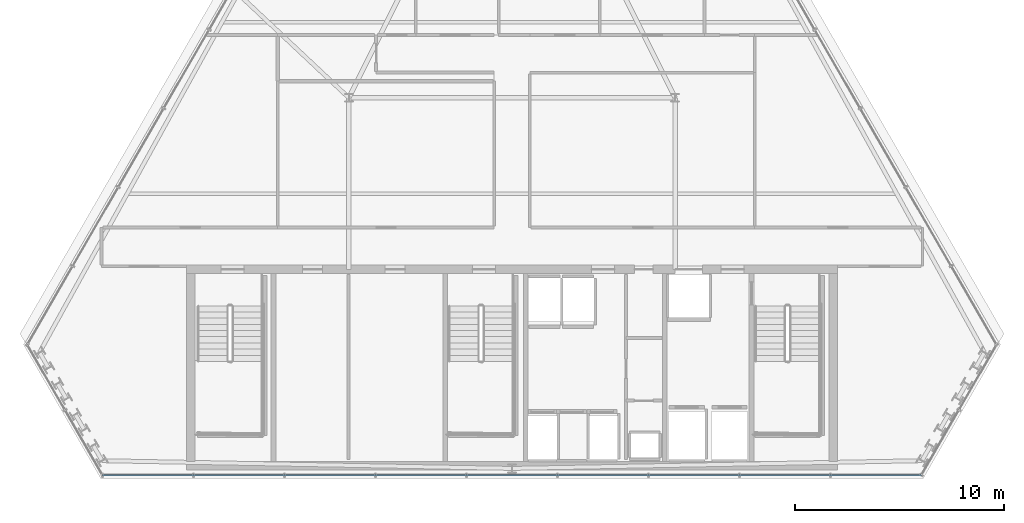
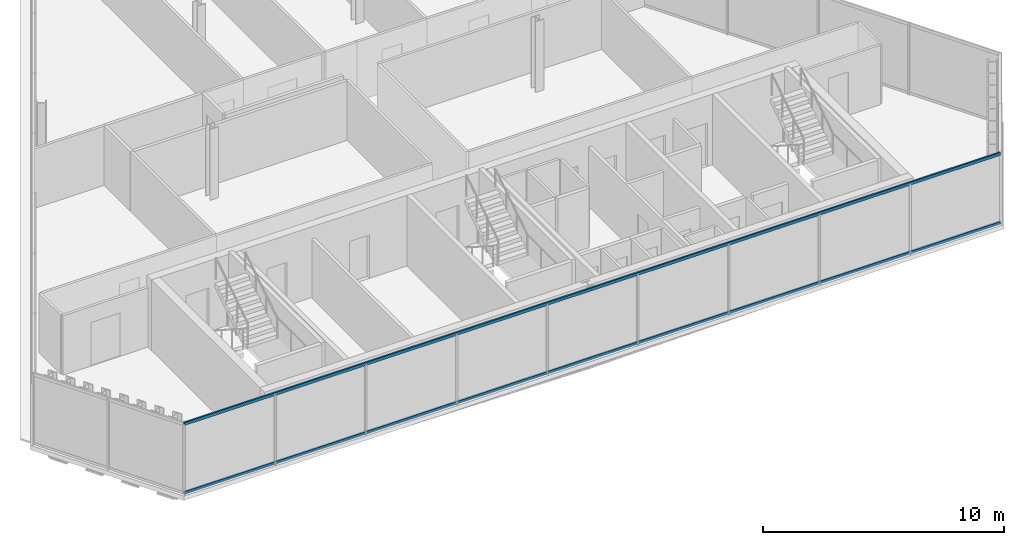
# One storey, part 7 of 29: 2 members, 1 element without a shape of its own.
"""IFC4 building model written with IfcOpenShell, lengths in metres."""

from ifc_helpers import new_model, si_unit, direction, frame, origin, origin_2d, place, context, subcontext, project, spatial, hollow_rectangle, extrude, material, layer, layer_set, material_profile, profile_set, type_object, element, aggregate, save


model = new_model("IFC4")

# Units and contexts
model_context = context("Model", 3, precision=1e-05, world=origin(), true_north=direction((0.0, 1.0)))
body_context = subcontext(model_context, "Body", "Model", "MODEL_VIEW")
ifc_project = project(units=[si_unit("LENGTHUNIT", "METRE"), si_unit("AREAUNIT", "SQUARE_METRE"), si_unit("VOLUMEUNIT", "CUBIC_METRE"), si_unit("PLANEANGLEUNIT", "RADIAN"), si_unit("MASSUNIT", "GRAM", prefix="KILO")], contexts=[model_context])

# Site, building, storey
site_placement = place(None, origin())
site = spatial("IfcSite", under=ifc_project, at=site_placement, CompositionType="ELEMENT")
building_placement = place(site_placement, origin())
building = spatial("IfcBuilding", under=site, at=building_placement, Name="Ndaravel Arena Tower", CompositionType="ELEMENT")
storey_placement = place(building_placement, frame((0.0, 0.0, 229.39990234375)))
storey = spatial("IfcBuildingStorey", under=building, at=storey_placement, Name="L55", CompositionType="ELEMENT", Elevation=229.39990234375)

# Curtain wall, members
ifc_material_1 = material(Name="Aluminium", Category="aluminium")
ifc_layer = layer(ifc_material_1, 0.179931640625)
ifc_layer_set = layer_set([ifc_layer], Name="Aluminium")
curtain_wall_type = type_object("IfcCurtainWallType", Name="CW-SYS-03", PredefinedType="NOTDEFINED", material=ifc_layer_set)
curtain_wall_placement = place(storey_placement, origin())
curtain_wall = element("IfcCurtainWall", 1, at=curtain_wall_placement, inside=storey, type_object=curtain_wall_type, Name="L55 Faceted Crystal Curtain Wall CW-L55-E01", PredefinedType="NOTDEFINED")
ifc_material_2 = material(Name="Aluminium", Category="aluminium")
ifc_material_profile = material_profile(ifc_material_2, hollow_rectangle(XDim=0.074951171875, YDim=0.14990234375, WallThickness=0.00390625, at=origin_2d()), Name="CW TRANSOM 75x150x4")
ifc_profile_set = profile_set([ifc_material_profile], Name="Aluminium")
member_type = type_object("IfcMemberType", Name="MEM-CW-TRN150", PredefinedType="USERDEFINED", material=ifc_profile_set)
member_1_placement = place(storey_placement, frame((22.431396484375, 5.159912109375, 0.0400390625), z_axis=(1.0, 0.0, 0.0), x_axis=(0.0, 1.0, 0.0)))
member_1 = element("IfcMember", 2, at=member_1_placement, type_object=member_type, Name="CW-L55-E01 Transom 01", ObjectType="TRANSOM", PredefinedType="USERDEFINED", context=body_context, shape_type="SweptSolid", body=[
    extrude(hollow_rectangle(XDim=0.074951171875, YDim=0.14990234375, WallThickness=0.00390625, at=origin_2d()), origin(), (0.0, 0.0, 1.0), 39.13720703125),
])
member_2_placement = place(storey_placement, frame((22.431396484375, 5.159912109375, 3.5400390625), z_axis=(1.0, 0.0, 0.0), x_axis=(0.0, 1.0, 0.0)))
member_2 = element("IfcMember", 3, at=member_2_placement, type_object=member_type, Name="CW-L55-E01 Transom 02", ObjectType="TRANSOM", PredefinedType="USERDEFINED", context=body_context, shape_type="SweptSolid", body=[
    extrude(hollow_rectangle(XDim=0.074951171875, YDim=0.14990234375, WallThickness=0.00390625, at=origin_2d()), origin(), (0.0, 0.0, 1.0), 39.13720703125),
])
aggregate(curtain_wall, [member_1, member_2])

save(model, "model.ifc")
